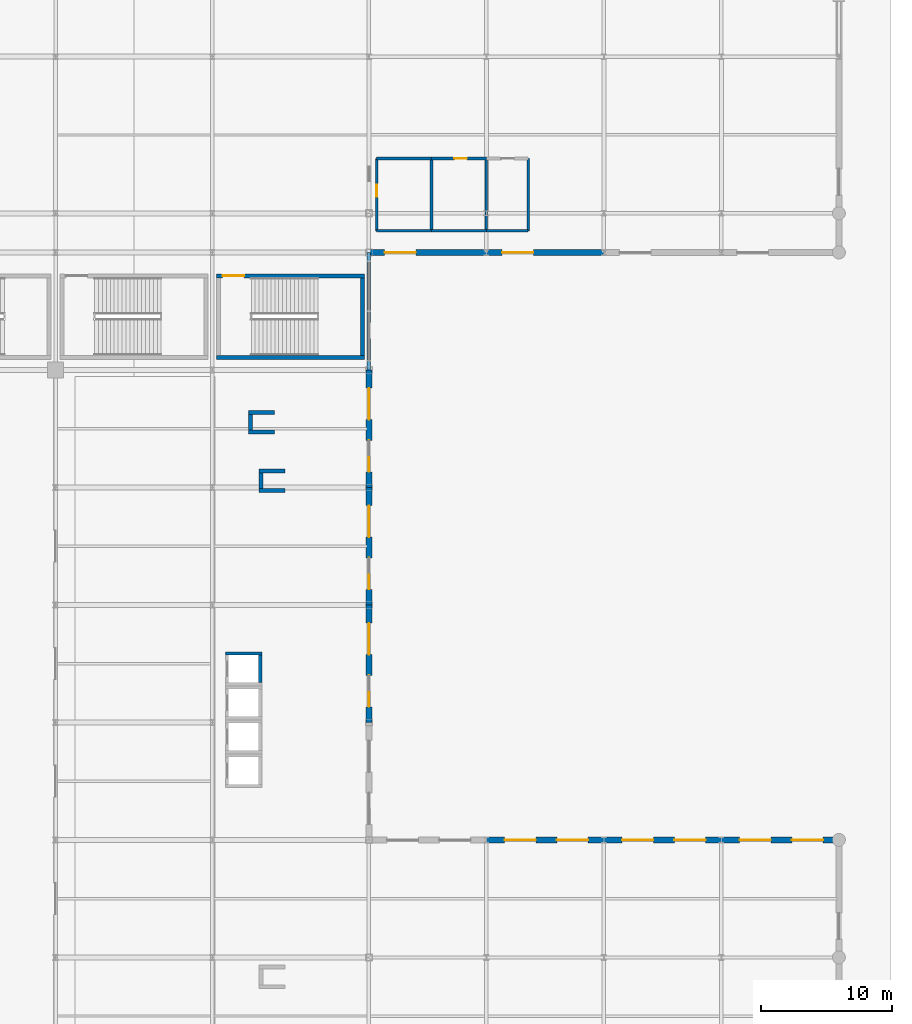
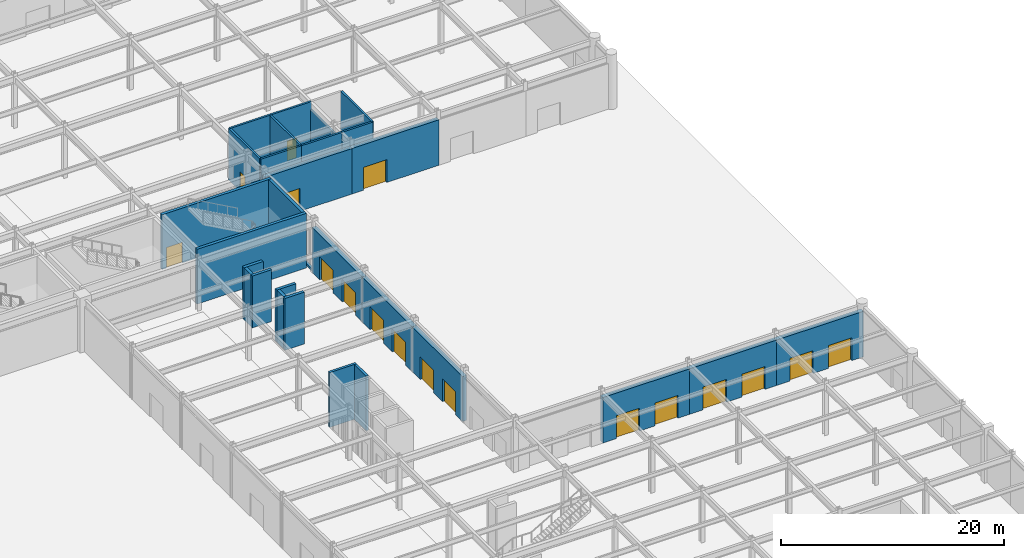
# One storey, part 29 of 44: 29 walls, 17 doors, 17 openings.
"""IFC4 building model written with IfcOpenShell, lengths in metres."""

import ifcopenshell
import ifcopenshell.guid

model = None  # the IFC model being written
_history = None  # IfcOwnerHistory: only IFC2X3 demands one
_inside = {}  # id of a spatial element -> (the spatial element, [elements in it])
_under = {}  # id of a project, library or spatial element -> (it, [spatial elements below it])
_declared = {}  # id of a project -> (the project, [libraries it declares])
_typed = {}  # id of a type object -> (the type object, [elements of that type])
_made_of = {}  # id of a material, layer set ... -> (it, [elements and type objects made of it])


def new_model(schema):
    """Start an empty IFC model of exactly this schema.

    Asked for "IFC4X3", IfcOpenShell would pick the latest addendum, in which some entities
    have other attributes; the version numbers below select the first issue.
    IFC2X3 requires an IfcOwnerHistory on every rooted entity: one is made here for all.
    """
    global model, _history
    if schema == "IFC4X3":
        model = ifcopenshell.file(schema_version=(4, 3, 0, 0))
    else:
        model = ifcopenshell.file(schema=schema)
    _inside.clear()
    _under.clear()
    _declared.clear()
    _typed.clear()
    _made_of.clear()
    _history = None
    if model.schema == "IFC2X3":
        org = make("IfcOrganization", Name="unknown")
        user = make(
            "IfcPersonAndOrganization",
            ThePerson=make("IfcPerson", FamilyName="unknown"),
            TheOrganization=org,
        )
        app = make(
            "IfcApplication",
            ApplicationDeveloper=org,
            Version="unknown",
            ApplicationFullName="unknown",
            ApplicationIdentifier="unknown",
        )
        _history = make(
            "IfcOwnerHistory",
            OwningUser=user,
            OwningApplication=app,
            ChangeAction="ADDED",
            CreationDate=0,
        )
    return model


def make(cls, **values):
    """One entity of the class cls with the attributes given. An attribute that is None is left unset."""
    return model.create_entity(
        cls, **{name: value for name, value in values.items() if value is not None}
    )


def rooted(cls, **values):
    """An entity with a GlobalId (a new one), such as an element, a storey or a relation."""
    return make(cls, GlobalId=ifcopenshell.guid.new(), OwnerHistory=_history, **values)


def si_unit(unit_type, name, prefix=None):
    """IfcSIUnit, for example si_unit("LENGTHUNIT", "METRE", prefix="MILLI")."""
    return make("IfcSIUnit", UnitType=unit_type, Prefix=prefix, Name=name)


def assignment(units):
    """IfcUnitAssignment: the units of a project."""
    return None if units is None else make("IfcUnitAssignment", Units=units)


def point(xyz):
    """IfcCartesianPoint."""
    return None if xyz is None else make("IfcCartesianPoint", Coordinates=xyz)


def direction(xyz):
    """IfcDirection."""
    return None if xyz is None else make("IfcDirection", DirectionRatios=xyz)


def frame(location, z_axis=None, x_axis=None):
    """IfcAxis2Placement3D, a coordinate frame: its origin and axes. An axis left out is left unset."""
    return make(
        "IfcAxis2Placement3D",
        Location=point(location),
        Axis=direction(z_axis),
        RefDirection=direction(x_axis),
    )


def frame_2d(location, x_axis=None):
    """IfcAxis2Placement2D, a coordinate frame in the plane: its origin and x axis."""
    return make(
        "IfcAxis2Placement2D", Location=point(location), RefDirection=direction(x_axis)
    )


def origin():
    """The frame at (0, 0, 0) with its axes left unset."""
    return frame((0.0, 0.0, 0.0))


def place(relative_to, where):
    """IfcLocalPlacement: puts the frame where relative to a parent placement (None: the world)."""
    return make(
        "IfcLocalPlacement", PlacementRelTo=relative_to, RelativePlacement=where
    )


def context(
    kind, dimensions, precision=None, world=None, true_north=None, identifier=None
):
    """IfcGeometricRepresentationContext, for example the 3D "Model" context."""
    return make(
        "IfcGeometricRepresentationContext",
        ContextIdentifier=identifier,
        ContextType=kind,
        CoordinateSpaceDimension=dimensions,
        Precision=precision,
        WorldCoordinateSystem=world,
        TrueNorth=true_north,
    )


def subcontext(parent, identifier, kind, view, scale=None):
    """IfcGeometricRepresentationSubContext, for example "Body" below "Model"."""
    return make(
        "IfcGeometricRepresentationSubContext",
        ContextIdentifier=identifier,
        ContextType=kind,
        ParentContext=parent,
        TargetScale=scale,
        TargetView=view,
    )


def project(units=None, contexts=None):
    """IfcProject with its units and contexts."""
    return rooted(
        "IfcProject",
        Name="project",
        RepresentationContexts=contexts,
        UnitsInContext=assignment(units),
    )


def spatial(cls, under=None, at=None, **own):
    """A site, building, storey or space (cls), placed at a placement, below another one or the project."""
    s = rooted(cls, ObjectPlacement=at, **own)
    if under is not None:
        _under.setdefault(under.id(), (under, []))[1].append(s)
    return s


def profile(cls, at=None, kind="AREA", **sizes):
    """A parametric profile (cls). Its sizes go by their IFC names, for example OverallWidth=200.0."""
    return make(cls, ProfileType=kind, Position=at, **sizes)


def rectangle(**sizes):
    """IfcRectangleProfileDef."""
    return profile("IfcRectangleProfileDef", **sizes)


def extrude(swept, where, along, depth):
    """IfcExtrudedAreaSolid: the profile swept, set in the frame where, extruded along a direction by depth."""
    return make(
        "IfcExtrudedAreaSolid",
        SweptArea=swept,
        Position=where,
        ExtrudedDirection=direction(along),
        Depth=depth,
    )


def shape(context_of_items, identifier, shape_type, items):
    """IfcShapeRepresentation: the items that make up one representation, for example the "Body"."""
    return make(
        "IfcShapeRepresentation",
        ContextOfItems=context_of_items,
        RepresentationIdentifier=identifier,
        RepresentationType=shape_type,
        Items=items,
    )


def material(Name=None, Category=None):
    """IfcMaterial."""
    return make("IfcMaterial", Name=Name, Category=Category)


def layer(
    of_material, thickness, ventilated=None, Name=None, Category=None, Priority=None
):
    """IfcMaterialLayer: one layer of a wall or slab, of a material (None: an air gap)."""
    return make(
        "IfcMaterialLayer",
        Material=of_material,
        LayerThickness=thickness,
        IsVentilated=ventilated,
        Name=Name,
        Category=Category,
        Priority=Priority,
    )


def layer_set(layers, Name=None):
    """IfcMaterialLayerSet."""
    return make("IfcMaterialLayerSet", MaterialLayers=layers, LayerSetName=Name)


def made_of(thing, what):
    """Note that an element or type object is made of a material, layer set ...; save() writes the relation."""
    if what is not None:
        _made_of.setdefault(what.id(), (what, []))[1].append(thing)
    return thing


def type_object(cls, material=None, **own):
    """A type object (cls), such as IfcWallType, which elements share."""
    return made_of(rooted(cls, **own), material)


def element(
    cls,
    number,
    at=None,
    inside=None,
    cuts=None,
    type_object=None,
    material=None,
    context=None,
    identifier="Body",
    shape_type=None,
    held_by="IfcProductDefinitionShape",
    body=None,
    shapes=None,
    **own,
):
    """One element of the class cls, such as IfcWall. Its Tag is "e" and its number.

    at: its placement. inside: the storey or other place that contains it. cuts: it is an
    opening in that element (IfcRelVoidsElement). A single representation is given by context,
    identifier, shape_type and body (its items); several are given by shapes. held_by: the class
    of the entity that holds the representations. save() writes the other relations.
    """
    e = rooted(cls, Tag="e%d" % number, ObjectPlacement=at, **own)
    if body is not None:
        shapes = [shape(context, identifier, shape_type, body)]
    if shapes is not None:
        e.Representation = make(held_by, Representations=shapes)
    if inside is not None:
        _inside.setdefault(inside.id(), (inside, []))[1].append(e)
    if cuts is not None:
        rooted(
            "IfcRelVoidsElement", RelatingBuildingElement=cuts, RelatedOpeningElement=e
        )
    if type_object is not None:
        _typed.setdefault(type_object.id(), (type_object, []))[1].append(e)
    return made_of(e, material)


def fill(opening, filler):
    """IfcRelFillsElement: the door or window that sits in an opening."""
    return rooted(
        "IfcRelFillsElement",
        RelatingOpeningElement=opening,
        RelatedBuildingElement=filler,
    )


def aggregate(whole, parts):
    """IfcRelAggregates: a whole, such as a stair, and the parts it consists of."""
    return rooted("IfcRelAggregates", RelatingObject=whole, RelatedObjects=parts)


def save(model, path):
    """Write the relations noted so far, then the file.

    IfcRelAggregates (storeys below a building ...), IfcRelContainedInSpatialStructure (elements
    in a storey), IfcRelDefinesByType, IfcRelAssociatesMaterial and IfcRelDeclares: one each for
    every whole, place, type object, material and project.
    """
    for whole, parts in _under.values():
        aggregate(whole, parts)
    for where, things in _inside.values():
        rooted(
            "IfcRelContainedInSpatialStructure",
            RelatedElements=things,
            RelatingStructure=where,
        )
    for kind, things in _typed.values():
        rooted("IfcRelDefinesByType", RelatedObjects=things, RelatingType=kind)
    for what, things in _made_of.values():
        rooted("IfcRelAssociatesMaterial", RelatedObjects=things, RelatingMaterial=what)
    for by, libraries in _declared.values():
        rooted("IfcRelDeclares", RelatingContext=by, RelatedDefinitions=libraries)
    model.write(path)


model = new_model("IFC4")

# Units and contexts
model_context = context("Model", 3, precision=1e-05, world=origin(), true_north=direction((0.0, 1.0)))
body_context = subcontext(model_context, "Body", "Model", "MODEL_VIEW")
ifc_project = project(units=[si_unit("LENGTHUNIT", "METRE"), si_unit("AREAUNIT", "SQUARE_METRE"), si_unit("VOLUMEUNIT", "CUBIC_METRE"), si_unit("PLANEANGLEUNIT", "RADIAN"), si_unit("MASSUNIT", "GRAM", prefix="KILO")], contexts=[model_context])

# Site, building, storey
site_placement = place(None, origin())
site = spatial("IfcSite", under=ifc_project, at=site_placement, CompositionType="ELEMENT")
building_placement = place(site_placement, origin())
building = spatial("IfcBuilding", under=site, at=building_placement, Name="Kaldorvane Square Convention Centre", CompositionType="ELEMENT")
storey_placement = place(building_placement, origin())
storey = spatial("IfcBuildingStorey", under=building, at=storey_placement, Name="L00", CompositionType="ELEMENT", Elevation=0.0)

# Walls
ifc_material_1 = material(Name="Fire-Rated Gypsum Board on Acoustic Steel Studs", Category="steel")
ifc_layer_1 = layer(ifc_material_1, 0.1999969482421875)
ifc_layer_set_1 = layer_set([ifc_layer_1], Name="Fire-Rated Gypsum Board on Acoustic Steel Studs")
wall_type_1 = type_object("IfcWallType", Name="WL-CORR-200", PredefinedType="PARTITIONING", material=ifc_layer_set_1)
wall_1_placement = place(storey_placement, frame((138.60000610351562, 82.64999389648438, 0.0), z_axis=(0.0, 0.0, 1.0), x_axis=(1.0, 0.0, 0.0)))
element("IfcWall", 1, at=wall_1_placement, inside=storey, type_object=wall_type_1, Name="East Concourse Men's Restroom (L00) S Wall", PredefinedType="PARTITIONING", context=body_context, shape_type="SweptSolid", body=[
    extrude(rectangle(XDim=4.1999969482421875, YDim=0.1999969482421875, at=frame_2d((2.100006103515625, 0.0))), origin(), (0.0, 0.0, 1.0), 5.67999267578125),
])
wall_2_placement = place(storey_placement, frame((142.8000030517578, 82.64999389648438, 0.0), z_axis=(0.0, 0.0, 1.0), x_axis=(0.0, 1.0, 0.0)))
element("IfcWall", 2, at=wall_2_placement, inside=storey, type_object=wall_type_1, Name="East Concourse Men's Restroom (L00) E Wall", PredefinedType="PARTITIONING", context=body_context, shape_type="SweptSolid", body=[
    extrude(rectangle(XDim=5.5500030517578125, YDim=0.1999969482421875, at=frame_2d((2.774993896484375, 0.0))), origin(), (0.0, 0.0, 1.0), 5.67999267578125),
])
wall_3_placement = place(storey_placement, frame((142.8000030517578, 88.19999694824219, 0.0), z_axis=(0.0, 0.0, 1.0), x_axis=(-1.0, 0.0, 0.0)))
element("IfcWall", 3, at=wall_3_placement, inside=storey, type_object=wall_type_1, Name="East Concourse Men's Restroom (L00) N Wall", PredefinedType="PARTITIONING", context=body_context, shape_type="SweptSolid", body=[
    extrude(rectangle(XDim=4.1999969482421875, YDim=0.1999969482421875, at=frame_2d((2.100006103515625, 0.0))), origin(), (0.0, 0.0, 1.0), 5.67999267578125),
])

# Wall, opening, door
wall_4_placement = place(storey_placement, frame((138.60000610351562, 88.19999694824219, 0.0), z_axis=(0.0, 0.0, 1.0), x_axis=(0.0, -1.0, 0.0)))
wall_4 = element("IfcWall", 4, at=wall_4_placement, inside=storey, type_object=wall_type_1, Name="East Concourse Men's Restroom (L00) W Wall", PredefinedType="PARTITIONING", context=body_context, shape_type="SweptSolid", body=[
    extrude(rectangle(XDim=5.5500030517578125, YDim=0.1999969482421875, at=frame_2d((2.774993896484375, 0.0))), origin(), (0.0, 0.0, 1.0), 5.67999267578125),
])
opening_1_placement = place(wall_4_placement, frame((2.0, 0.0, 0.0)))
opening_1 = element("IfcOpeningElement", 5, at=opening_1_placement, cuts=wall_4, Name="Opening ID-13", PredefinedType="OPENING", context=body_context, shape_type="SweptSolid", body=[
    extrude(rectangle(XDim=0.9499969482421875, YDim=2.149993896484375, at=frame_2d((0.475006103515625, 1.0749969482421875))), frame((0.0, 0.114990234375, 0.0), z_axis=(0.0, -1.0, 0.0), x_axis=(1.0, 0.0, 0.0)), (0.0, 0.0, 1.0), 0.2299957275390625),
])
ifc_material_2 = material(Name="Architectural Solid-Core White Oak")
door_type_1 = type_object("IfcDoorType", Name="DR-WC-0950X2150", OperationType="SINGLE_SWING_LEFT", PredefinedType="DOOR", material=ifc_material_2)
door_1_placement = place(opening_1_placement, origin())
door_1 = element("IfcDoor", 6, at=door_1_placement, inside=storey, type_object=door_type_1, Name="East Concourse Men's Restroom (L00) Door 1", OperationType="SINGLE_SWING_LEFT", OverallHeight=2.149993896484375, OverallWidth=0.9499969482421875, PredefinedType="DOOR", context=body_context, shape_type="SweptSolid", body=[
    extrude(rectangle(XDim=0.9499969482421875, YDim=2.149993896484375, at=frame_2d((0.475006103515625, 1.0749969482421875))), frame((0.0, 0.024993896484375, 0.0), z_axis=(0.0, -1.0, 0.0), x_axis=(1.0, 0.0, 0.0)), (0.0, 0.0, 1.0), 0.0500030517578125),
])
fill(opening_1, door_1)

# Walls
wall_5_placement = place(storey_placement, frame((142.8000030517578, 82.64999389648438, 0.0), z_axis=(0.0, 0.0, 1.0), x_axis=(1.0, 0.0, 0.0)))
element("IfcWall", 7, at=wall_5_placement, inside=storey, type_object=wall_type_1, Name="East Concourse Women's Restroom (L00) S Wall", PredefinedType="PARTITIONING", context=body_context, shape_type="SweptSolid", body=[
    extrude(rectangle(XDim=4.1999969482421875, YDim=0.1999969482421875, at=frame_2d((2.100006103515625, 0.0))), origin(), (0.0, 0.0, 1.0), 5.67999267578125),
])
wall_6_placement = place(storey_placement, frame((147.0, 82.64999389648438, 0.0), z_axis=(0.0, 0.0, 1.0), x_axis=(0.0, 1.0, 0.0)))
element("IfcWall", 8, at=wall_6_placement, inside=storey, type_object=wall_type_1, Name="East Concourse Women's Restroom (L00) E Wall", PredefinedType="PARTITIONING", context=body_context, shape_type="SweptSolid", body=[
    extrude(rectangle(XDim=5.5500030517578125, YDim=0.1999969482421875, at=frame_2d((2.774993896484375, 0.0))), origin(), (0.0, 0.0, 1.0), 4.8300018310546875),
])

# Wall, opening, door
wall_7_placement = place(storey_placement, frame((147.0, 88.19999694824219, 0.0), z_axis=(0.0, 0.0, 1.0), x_axis=(-1.0, 0.0, 0.0)))
wall_7 = element("IfcWall", 9, at=wall_7_placement, inside=storey, type_object=wall_type_1, Name="East Concourse Women's Restroom (L00) N Wall", PredefinedType="PARTITIONING", context=body_context, shape_type="SweptSolid", body=[
    extrude(rectangle(XDim=4.1999969482421875, YDim=0.1999969482421875, at=frame_2d((2.100006103515625, 0.0))), origin(), (0.0, 0.0, 1.0), 5.67999267578125),
])
opening_2_placement = place(wall_7_placement, frame((1.5, 0.0, 0.0)))
opening_2 = element("IfcOpeningElement", 10, at=opening_2_placement, cuts=wall_7, Name="Opening ID-13", PredefinedType="OPENING", context=body_context, shape_type="SweptSolid", body=[
    extrude(rectangle(XDim=0.9499969482421875, YDim=2.149993896484375, at=frame_2d((0.475006103515625, 1.0749969482421875))), frame((0.0, 0.114990234375, 0.0), z_axis=(0.0, -1.0, 0.0), x_axis=(1.0, 0.0, 0.0)), (0.0, 0.0, 1.0), 0.2299957275390625),
])
door_2_placement = place(opening_2_placement, origin())
door_2 = element("IfcDoor", 11, at=door_2_placement, inside=storey, type_object=door_type_1, Name="East Concourse Women's Restroom (L00) Door 1", OperationType="SINGLE_SWING_LEFT", OverallHeight=2.149993896484375, OverallWidth=0.9499969482421875, PredefinedType="DOOR", context=body_context, shape_type="SweptSolid", body=[
    extrude(rectangle(XDim=0.9499969482421875, YDim=2.149993896484375, at=frame_2d((0.475006103515625, 1.0749969482421875))), frame((0.0, 0.024993896484375, 0.0), z_axis=(0.0, -1.0, 0.0), x_axis=(1.0, 0.0, 0.0)), (0.0, 0.0, 1.0), 0.0500030517578125),
])
fill(opening_2, door_2)

# Walls
wall_8_placement = place(storey_placement, frame((147.0, 82.64999389648438, 0.0), z_axis=(0.0, 0.0, 1.0), x_axis=(1.0, 0.0, 0.0)))
element("IfcWall", 12, at=wall_8_placement, inside=storey, type_object=wall_type_1, Name="East Concourse Accessible Restroom (L00) S Wall", PredefinedType="PARTITIONING", context=body_context, shape_type="SweptSolid", body=[
    extrude(rectangle(XDim=3.1999969482421875, YDim=0.1999969482421875, at=frame_2d((1.600006103515625, 0.0))), origin(), (0.0, 0.0, 1.0), 5.67999267578125),
])
wall_9_placement = place(storey_placement, frame((150.1999969482422, 82.64999389648438, 0.0), z_axis=(0.0, 0.0, 1.0), x_axis=(0.0, 1.0, 0.0)))
element("IfcWall", 13, at=wall_9_placement, inside=storey, type_object=wall_type_1, Name="East Concourse Accessible Restroom (L00) E Wall", PredefinedType="PARTITIONING", context=body_context, shape_type="SweptSolid", body=[
    extrude(rectangle(XDim=5.5500030517578125, YDim=0.1999969482421875, at=frame_2d((2.774993896484375, 0.0))), origin(), (0.0, 0.0, 1.0), 5.67999267578125),
])

# Wall, openings, doors
ifc_material_3 = material(Name="Concrete f'c = 42 MPa (Normalweight)", Category="concrete")
ifc_layer_2 = layer(ifc_material_3, 0.4499969482421875)
ifc_layer_set_2 = layer_set([ifc_layer_2], Name="Concrete f'c = 42 MPa (Normalweight)")
wall_type_2 = type_object("IfcWallType", Name="WL-EXT-450", PredefinedType="STANDARD", material=ifc_layer_set_2)
wall_10_placement = place(storey_placement, frame((156.0, 36.0, 0.0), z_axis=(0.0, 0.0, 1.0), x_axis=(-1.0, 0.0, 0.0)))
wall_10 = element("IfcWall", 14, at=wall_10_placement, inside=storey, type_object=wall_type_2, Name="Civic Forecourt Entrance Portal FCS-2", PredefinedType="STANDARD", context=body_context, shape_type="SweptSolid", body=[
    extrude(rectangle(XDim=9.0, YDim=0.4499969482421875, at=frame_2d((4.5, 0.0))), origin(), (0.0, 0.0, 1.0), 4.98699951171875),
])
opening_3_placement = place(wall_10_placement, frame((1.1999969482421875, 0.0, 0.0)))
opening_3 = element("IfcOpeningElement", 15, at=opening_3_placement, cuts=wall_10, Name="Opening ED-02", PredefinedType="OPENING", context=body_context, shape_type="SweptSolid", body=[
    extrude(rectangle(XDim=2.399993896484375, YDim=2.5, at=frame_2d((1.1999969482421875, 1.25))), frame((0.0, 0.239990234375, 0.0), z_axis=(0.0, -1.0, 0.0), x_axis=(1.0, 0.0, 0.0)), (0.0, 0.0, 1.0), 0.4799957275390625),
])
opening_4_placement = place(wall_10_placement, frame((5.1999969482421875, 0.0, 0.0)))
opening_4 = element("IfcOpeningElement", 16, at=opening_4_placement, cuts=wall_10, Name="Opening ED-02", PredefinedType="OPENING", context=body_context, shape_type="SweptSolid", body=[
    extrude(rectangle(XDim=2.399993896484375, YDim=2.5, at=frame_2d((1.1999969482421875, 1.25))), frame((0.0, 0.239990234375, 0.0), z_axis=(0.0, -1.0, 0.0), x_axis=(1.0, 0.0, 0.0)), (0.0, 0.0, 1.0), 0.4799957275390625),
])
ifc_material_4 = material(Name="Thermally Broken Aluminum and Tempered Glass", Category="aluminium")
door_type_2 = type_object("IfcDoorType", Name="DR-EXT-2400X2500", OperationType="DOUBLE_DOOR_SINGLE_SWING", PredefinedType="DOOR", material=ifc_material_4)
door_3_placement = place(opening_3_placement, origin())
door_3 = element("IfcDoor", 17, at=door_3_placement, inside=storey, type_object=door_type_2, Name="Civic Forecourt Main Entrance Door 29", OperationType="DOUBLE_DOOR_SINGLE_SWING", OverallHeight=2.5, OverallWidth=2.399993896484375, PredefinedType="DOOR", context=body_context, shape_type="SweptSolid", body=[
    extrude(rectangle(XDim=2.399993896484375, YDim=2.5, at=frame_2d((1.1999969482421875, 1.25))), frame((0.0, 0.024993896484375, 0.0), z_axis=(0.0, -1.0, 0.0), x_axis=(1.0, 0.0, 0.0)), (0.0, 0.0, 1.0), 0.0500030517578125),
])
fill(opening_3, door_3)
door_4_placement = place(opening_4_placement, origin())
door_4 = element("IfcDoor", 18, at=door_4_placement, inside=storey, type_object=door_type_2, Name="Civic Forecourt Main Entrance Door 30", OperationType="DOUBLE_DOOR_SINGLE_SWING", OverallHeight=2.5, OverallWidth=2.399993896484375, PredefinedType="DOOR", context=body_context, shape_type="SweptSolid", body=[
    extrude(rectangle(XDim=2.399993896484375, YDim=2.5, at=frame_2d((1.1999969482421875, 1.25))), frame((0.0, 0.024993896484375, 0.0), z_axis=(0.0, -1.0, 0.0), x_axis=(1.0, 0.0, 0.0)), (0.0, 0.0, 1.0), 0.0500030517578125),
])
fill(opening_4, door_4)

wall_11_placement = place(storey_placement, frame((165.0, 36.0, 0.0), z_axis=(0.0, 0.0, 1.0), x_axis=(-1.0, 0.0, 0.0)))
wall_11 = element("IfcWall", 19, at=wall_11_placement, inside=storey, type_object=wall_type_2, Name="Civic Forecourt Entrance Portal FCS-3", PredefinedType="STANDARD", context=body_context, shape_type="SweptSolid", body=[
    extrude(rectangle(XDim=9.0, YDim=0.4499969482421875, at=frame_2d((4.5, 0.0))), origin(), (0.0, 0.0, 1.0), 4.98699951171875),
])
opening_5_placement = place(wall_11_placement, frame((1.1999969482421875, 0.0, 0.0)))
opening_5 = element("IfcOpeningElement", 20, at=opening_5_placement, cuts=wall_11, Name="Opening ED-02", PredefinedType="OPENING", context=body_context, shape_type="SweptSolid", body=[
    extrude(rectangle(XDim=2.399993896484375, YDim=2.5, at=frame_2d((1.1999969482421875, 1.25))), frame((0.0, 0.239990234375, 0.0), z_axis=(0.0, -1.0, 0.0), x_axis=(1.0, 0.0, 0.0)), (0.0, 0.0, 1.0), 0.4799957275390625),
])
opening_6_placement = place(wall_11_placement, frame((5.1999969482421875, 0.0, 0.0)))
opening_6 = element("IfcOpeningElement", 21, at=opening_6_placement, cuts=wall_11, Name="Opening ED-02", PredefinedType="OPENING", context=body_context, shape_type="SweptSolid", body=[
    extrude(rectangle(XDim=2.399993896484375, YDim=2.5, at=frame_2d((1.1999969482421875, 1.25))), frame((0.0, 0.239990234375, 0.0), z_axis=(0.0, -1.0, 0.0), x_axis=(1.0, 0.0, 0.0)), (0.0, 0.0, 1.0), 0.4799957275390625),
])
door_5_placement = place(opening_5_placement, origin())
door_5 = element("IfcDoor", 22, at=door_5_placement, inside=storey, type_object=door_type_2, Name="Civic Forecourt Main Entrance Door 31", OperationType="DOUBLE_DOOR_SINGLE_SWING", OverallHeight=2.5, OverallWidth=2.399993896484375, PredefinedType="DOOR", context=body_context, shape_type="SweptSolid", body=[
    extrude(rectangle(XDim=2.399993896484375, YDim=2.5, at=frame_2d((1.1999969482421875, 1.25))), frame((0.0, 0.024993896484375, 0.0), z_axis=(0.0, -1.0, 0.0), x_axis=(1.0, 0.0, 0.0)), (0.0, 0.0, 1.0), 0.0500030517578125),
])
fill(opening_5, door_5)
door_6_placement = place(opening_6_placement, origin())
door_6 = element("IfcDoor", 23, at=door_6_placement, inside=storey, type_object=door_type_2, Name="Civic Forecourt Main Entrance Door 32", OperationType="DOUBLE_DOOR_SINGLE_SWING", OverallHeight=2.5, OverallWidth=2.399993896484375, PredefinedType="DOOR", context=body_context, shape_type="SweptSolid", body=[
    extrude(rectangle(XDim=2.399993896484375, YDim=2.5, at=frame_2d((1.1999969482421875, 1.25))), frame((0.0, 0.024993896484375, 0.0), z_axis=(0.0, -1.0, 0.0), x_axis=(1.0, 0.0, 0.0)), (0.0, 0.0, 1.0), 0.0500030517578125),
])
fill(opening_6, door_6)

wall_12_placement = place(storey_placement, frame((174.0, 36.0, 0.0), z_axis=(0.0, 0.0, 1.0), x_axis=(-1.0, 0.0, 0.0)))
wall_12 = element("IfcWall", 24, at=wall_12_placement, inside=storey, type_object=wall_type_2, Name="Civic Forecourt Entrance Portal FCS-4", PredefinedType="STANDARD", context=body_context, shape_type="SweptSolid", body=[
    extrude(rectangle(XDim=9.0, YDim=0.4499969482421875, at=frame_2d((4.5, 0.0))), origin(), (0.0, 0.0, 1.0), 4.98699951171875),
])
opening_7_placement = place(wall_12_placement, frame((1.1999969482421875, 0.0, 0.0)))
opening_7 = element("IfcOpeningElement", 25, at=opening_7_placement, cuts=wall_12, Name="Opening ED-02", PredefinedType="OPENING", context=body_context, shape_type="SweptSolid", body=[
    extrude(rectangle(XDim=2.399993896484375, YDim=2.5, at=frame_2d((1.1999969482421875, 1.25))), frame((0.0, 0.239990234375, 0.0), z_axis=(0.0, -1.0, 0.0), x_axis=(1.0, 0.0, 0.0)), (0.0, 0.0, 1.0), 0.4799957275390625),
])
opening_8_placement = place(wall_12_placement, frame((5.1999969482421875, 0.0, 0.0)))
opening_8 = element("IfcOpeningElement", 26, at=opening_8_placement, cuts=wall_12, Name="Opening ED-02", PredefinedType="OPENING", context=body_context, shape_type="SweptSolid", body=[
    extrude(rectangle(XDim=2.399993896484375, YDim=2.5, at=frame_2d((1.1999969482421875, 1.25))), frame((0.0, 0.239990234375, 0.0), z_axis=(0.0, -1.0, 0.0), x_axis=(1.0, 0.0, 0.0)), (0.0, 0.0, 1.0), 0.4799957275390625),
])
door_7_placement = place(opening_7_placement, origin())
door_7 = element("IfcDoor", 27, at=door_7_placement, inside=storey, type_object=door_type_2, Name="Civic Forecourt Main Entrance Door 33", OperationType="DOUBLE_DOOR_SINGLE_SWING", OverallHeight=2.5, OverallWidth=2.399993896484375, PredefinedType="DOOR", context=body_context, shape_type="SweptSolid", body=[
    extrude(rectangle(XDim=2.399993896484375, YDim=2.5, at=frame_2d((1.1999969482421875, 1.25))), frame((0.0, 0.024993896484375, 0.0), z_axis=(0.0, -1.0, 0.0), x_axis=(1.0, 0.0, 0.0)), (0.0, 0.0, 1.0), 0.0500030517578125),
])
fill(opening_7, door_7)
door_8_placement = place(opening_8_placement, origin())
door_8 = element("IfcDoor", 28, at=door_8_placement, inside=storey, type_object=door_type_2, Name="Civic Forecourt Main Entrance Door 34", OperationType="DOUBLE_DOOR_SINGLE_SWING", OverallHeight=2.5, OverallWidth=2.399993896484375, PredefinedType="DOOR", context=body_context, shape_type="SweptSolid", body=[
    extrude(rectangle(XDim=2.399993896484375, YDim=2.5, at=frame_2d((1.1999969482421875, 1.25))), frame((0.0, 0.024993896484375, 0.0), z_axis=(0.0, -1.0, 0.0), x_axis=(1.0, 0.0, 0.0)), (0.0, 0.0, 1.0), 0.0500030517578125),
])
fill(opening_8, door_8)

wall_13_placement = place(storey_placement, frame((138.0, 45.0, 0.0), z_axis=(0.0, 0.0, 1.0), x_axis=(0.0, 1.0, 0.0)))
wall_13 = element("IfcWall", 29, at=wall_13_placement, inside=storey, type_object=wall_type_2, Name="Civic Forecourt Entrance Portal FCW-2", PredefinedType="STANDARD", context=body_context, shape_type="SweptSolid", body=[
    extrude(rectangle(XDim=9.0, YDim=0.4499969482421875, at=frame_2d((4.5, 0.0))), origin(), (0.0, 0.0, 1.0), 4.912994384765625),
])
opening_9_placement = place(wall_13_placement, frame((1.1999969482421875, 0.0, 0.0)))
opening_9 = element("IfcOpeningElement", 30, at=opening_9_placement, cuts=wall_13, Name="Opening ED-02", PredefinedType="OPENING", context=body_context, shape_type="SweptSolid", body=[
    extrude(rectangle(XDim=2.399993896484375, YDim=2.5, at=frame_2d((1.1999969482421875, 1.25))), frame((0.0, 0.239990234375, 0.0), z_axis=(0.0, -1.0, 0.0), x_axis=(1.0, 0.0, 0.0)), (0.0, 0.0, 1.0), 0.4799957275390625),
])
opening_10_placement = place(wall_13_placement, frame((5.1999969482421875, 0.0, 0.0)))
opening_10 = element("IfcOpeningElement", 31, at=opening_10_placement, cuts=wall_13, Name="Opening ED-02", PredefinedType="OPENING", context=body_context, shape_type="SweptSolid", body=[
    extrude(rectangle(XDim=2.399993896484375, YDim=2.5, at=frame_2d((1.1999969482421875, 1.25))), frame((0.0, 0.239990234375, 0.0), z_axis=(0.0, -1.0, 0.0), x_axis=(1.0, 0.0, 0.0)), (0.0, 0.0, 1.0), 0.4799957275390625),
])
door_9_placement = place(opening_9_placement, origin())
door_9 = element("IfcDoor", 32, at=door_9_placement, inside=storey, type_object=door_type_2, Name="Civic Forecourt Main Entrance Door 37", OperationType="DOUBLE_DOOR_SINGLE_SWING", OverallHeight=2.5, OverallWidth=2.399993896484375, PredefinedType="DOOR", context=body_context, shape_type="SweptSolid", body=[
    extrude(rectangle(XDim=2.399993896484375, YDim=2.5, at=frame_2d((1.1999969482421875, 1.25))), frame((0.0, 0.024993896484375, 0.0), z_axis=(0.0, -1.0, 0.0), x_axis=(1.0, 0.0, 0.0)), (0.0, 0.0, 1.0), 0.0500030517578125),
])
fill(opening_9, door_9)
door_10_placement = place(opening_10_placement, origin())
door_10 = element("IfcDoor", 33, at=door_10_placement, inside=storey, type_object=door_type_2, Name="Civic Forecourt Main Entrance Door 38", OperationType="DOUBLE_DOOR_SINGLE_SWING", OverallHeight=2.5, OverallWidth=2.399993896484375, PredefinedType="DOOR", context=body_context, shape_type="SweptSolid", body=[
    extrude(rectangle(XDim=2.399993896484375, YDim=2.5, at=frame_2d((1.1999969482421875, 1.25))), frame((0.0, 0.024993896484375, 0.0), z_axis=(0.0, -1.0, 0.0), x_axis=(1.0, 0.0, 0.0)), (0.0, 0.0, 1.0), 0.0500030517578125),
])
fill(opening_10, door_10)

wall_14_placement = place(storey_placement, frame((138.0, 54.0, 0.0), z_axis=(0.0, 0.0, 1.0), x_axis=(0.0, 1.0, 0.0)))
wall_14 = element("IfcWall", 34, at=wall_14_placement, inside=storey, type_object=wall_type_2, Name="Civic Forecourt Entrance Portal FCW-3", PredefinedType="STANDARD", context=body_context, shape_type="SweptSolid", body=[
    extrude(rectangle(XDim=9.0, YDim=0.4499969482421875, at=frame_2d((4.5, 0.0))), origin(), (0.0, 0.0, 1.0), 4.912994384765625),
])
opening_11_placement = place(wall_14_placement, frame((1.1999969482421875, 0.0, 0.0)))
opening_11 = element("IfcOpeningElement", 35, at=opening_11_placement, cuts=wall_14, Name="Opening ED-02", PredefinedType="OPENING", context=body_context, shape_type="SweptSolid", body=[
    extrude(rectangle(XDim=2.399993896484375, YDim=2.5, at=frame_2d((1.1999969482421875, 1.25))), frame((0.0, 0.239990234375, 0.0), z_axis=(0.0, -1.0, 0.0), x_axis=(1.0, 0.0, 0.0)), (0.0, 0.0, 1.0), 0.4799957275390625),
])
opening_12_placement = place(wall_14_placement, frame((5.1999969482421875, 0.0, 0.0)))
opening_12 = element("IfcOpeningElement", 36, at=opening_12_placement, cuts=wall_14, Name="Opening ED-02", PredefinedType="OPENING", context=body_context, shape_type="SweptSolid", body=[
    extrude(rectangle(XDim=2.399993896484375, YDim=2.5, at=frame_2d((1.1999969482421875, 1.25))), frame((0.0, 0.239990234375, 0.0), z_axis=(0.0, -1.0, 0.0), x_axis=(1.0, 0.0, 0.0)), (0.0, 0.0, 1.0), 0.4799957275390625),
])
door_11_placement = place(opening_11_placement, origin())
door_11 = element("IfcDoor", 37, at=door_11_placement, inside=storey, type_object=door_type_2, Name="Civic Forecourt Main Entrance Door 39", OperationType="DOUBLE_DOOR_SINGLE_SWING", OverallHeight=2.5, OverallWidth=2.399993896484375, PredefinedType="DOOR", context=body_context, shape_type="SweptSolid", body=[
    extrude(rectangle(XDim=2.399993896484375, YDim=2.5, at=frame_2d((1.1999969482421875, 1.25))), frame((0.0, 0.024993896484375, 0.0), z_axis=(0.0, -1.0, 0.0), x_axis=(1.0, 0.0, 0.0)), (0.0, 0.0, 1.0), 0.0500030517578125),
])
fill(opening_11, door_11)
door_12_placement = place(opening_12_placement, origin())
door_12 = element("IfcDoor", 38, at=door_12_placement, inside=storey, type_object=door_type_2, Name="Civic Forecourt Main Entrance Door 40", OperationType="DOUBLE_DOOR_SINGLE_SWING", OverallHeight=2.5, OverallWidth=2.399993896484375, PredefinedType="DOOR", context=body_context, shape_type="SweptSolid", body=[
    extrude(rectangle(XDim=2.399993896484375, YDim=2.5, at=frame_2d((1.1999969482421875, 1.25))), frame((0.0, 0.024993896484375, 0.0), z_axis=(0.0, -1.0, 0.0), x_axis=(1.0, 0.0, 0.0)), (0.0, 0.0, 1.0), 0.0500030517578125),
])
fill(opening_12, door_12)

wall_15_placement = place(storey_placement, frame((138.0, 63.0, 0.0), z_axis=(0.0, 0.0, 1.0), x_axis=(0.0, 1.0, 0.0)))
wall_15 = element("IfcWall", 39, at=wall_15_placement, inside=storey, type_object=wall_type_2, Name="Civic Forecourt Entrance Portal FCW-4", PredefinedType="STANDARD", context=body_context, shape_type="SweptSolid", body=[
    extrude(rectangle(XDim=9.0, YDim=0.4499969482421875, at=frame_2d((4.5, 0.0))), origin(), (0.0, 0.0, 1.0), 4.912994384765625),
])
opening_13_placement = place(wall_15_placement, frame((1.1999969482421875, 0.0, 0.0)))
opening_13 = element("IfcOpeningElement", 40, at=opening_13_placement, cuts=wall_15, Name="Opening ED-02", PredefinedType="OPENING", context=body_context, shape_type="SweptSolid", body=[
    extrude(rectangle(XDim=2.399993896484375, YDim=2.5, at=frame_2d((1.1999969482421875, 1.25))), frame((0.0, 0.239990234375, 0.0), z_axis=(0.0, -1.0, 0.0), x_axis=(1.0, 0.0, 0.0)), (0.0, 0.0, 1.0), 0.4799957275390625),
])
opening_14_placement = place(wall_15_placement, frame((5.1999969482421875, 0.0, 0.0)))
opening_14 = element("IfcOpeningElement", 41, at=opening_14_placement, cuts=wall_15, Name="Opening ED-02", PredefinedType="OPENING", context=body_context, shape_type="SweptSolid", body=[
    extrude(rectangle(XDim=2.399993896484375, YDim=2.5, at=frame_2d((1.1999969482421875, 1.25))), frame((0.0, 0.239990234375, 0.0), z_axis=(0.0, -1.0, 0.0), x_axis=(1.0, 0.0, 0.0)), (0.0, 0.0, 1.0), 0.4799957275390625),
])
door_13_placement = place(opening_13_placement, origin())
door_13 = element("IfcDoor", 42, at=door_13_placement, inside=storey, type_object=door_type_2, Name="Civic Forecourt Main Entrance Door 41", OperationType="DOUBLE_DOOR_SINGLE_SWING", OverallHeight=2.5, OverallWidth=2.399993896484375, PredefinedType="DOOR", context=body_context, shape_type="SweptSolid", body=[
    extrude(rectangle(XDim=2.399993896484375, YDim=2.5, at=frame_2d((1.1999969482421875, 1.25))), frame((0.0, 0.024993896484375, 0.0), z_axis=(0.0, -1.0, 0.0), x_axis=(1.0, 0.0, 0.0)), (0.0, 0.0, 1.0), 0.0500030517578125),
])
fill(opening_13, door_13)
door_14_placement = place(opening_14_placement, origin())
door_14 = element("IfcDoor", 43, at=door_14_placement, inside=storey, type_object=door_type_2, Name="Civic Forecourt Main Entrance Door 42", OperationType="DOUBLE_DOOR_SINGLE_SWING", OverallHeight=2.5, OverallWidth=2.399993896484375, PredefinedType="DOOR", context=body_context, shape_type="SweptSolid", body=[
    extrude(rectangle(XDim=2.399993896484375, YDim=2.5, at=frame_2d((1.1999969482421875, 1.25))), frame((0.0, 0.024993896484375, 0.0), z_axis=(0.0, -1.0, 0.0), x_axis=(1.0, 0.0, 0.0)), (0.0, 0.0, 1.0), 0.0500030517578125),
])
fill(opening_14, door_14)

# Wall, opening, door
wall_16_placement = place(storey_placement, frame((138.0, 81.0, 0.0), z_axis=(0.0, 0.0, 1.0), x_axis=(1.0, 0.0, 0.0)))
wall_16 = element("IfcWall", 44, at=wall_16_placement, inside=storey, type_object=wall_type_2, Name="Civic Forecourt Entrance Portal FCN-1", PredefinedType="STANDARD", context=body_context, shape_type="SweptSolid", body=[
    extrude(rectangle(XDim=9.0, YDim=0.4499969482421875, at=frame_2d((4.5, 0.0))), origin(), (0.0, 0.0, 1.0), 4.98699951171875),
])
opening_15_placement = place(wall_16_placement, frame((1.1999969482421875, 0.0, 0.0)))
opening_15 = element("IfcOpeningElement", 45, at=opening_15_placement, cuts=wall_16, Name="Opening ED-02", PredefinedType="OPENING", context=body_context, shape_type="SweptSolid", body=[
    extrude(rectangle(XDim=2.399993896484375, YDim=2.5, at=frame_2d((1.1999969482421875, 1.25))), frame((0.0, 0.239990234375, 0.0), z_axis=(0.0, -1.0, 0.0), x_axis=(1.0, 0.0, 0.0)), (0.0, 0.0, 1.0), 0.4799957275390625),
])
door_15_placement = place(opening_15_placement, origin())
door_15 = element("IfcDoor", 46, at=door_15_placement, inside=storey, type_object=door_type_2, Name="Civic Forecourt Main Entrance Door 43", OperationType="DOUBLE_DOOR_SINGLE_SWING", OverallHeight=2.5, OverallWidth=2.399993896484375, PredefinedType="DOOR", context=body_context, shape_type="SweptSolid", body=[
    extrude(rectangle(XDim=2.399993896484375, YDim=2.5, at=frame_2d((1.1999969482421875, 1.25))), frame((0.0, 0.024993896484375, 0.0), z_axis=(0.0, -1.0, 0.0), x_axis=(1.0, 0.0, 0.0)), (0.0, 0.0, 1.0), 0.0500030517578125),
])
fill(opening_15, door_15)

wall_17_placement = place(storey_placement, frame((147.0, 81.0, 0.0), z_axis=(0.0, 0.0, 1.0), x_axis=(1.0, 0.0, 0.0)))
wall_17 = element("IfcWall", 47, at=wall_17_placement, inside=storey, type_object=wall_type_2, Name="Civic Forecourt Entrance Portal FCN-2", PredefinedType="STANDARD", context=body_context, shape_type="SweptSolid", body=[
    extrude(rectangle(XDim=9.0, YDim=0.4499969482421875, at=frame_2d((4.5, 0.0))), origin(), (0.0, 0.0, 1.0), 4.98699951171875),
])
opening_16_placement = place(wall_17_placement, frame((1.1999969482421875, 0.0, 0.0)))
opening_16 = element("IfcOpeningElement", 48, at=opening_16_placement, cuts=wall_17, Name="Opening ED-02", PredefinedType="OPENING", context=body_context, shape_type="SweptSolid", body=[
    extrude(rectangle(XDim=2.399993896484375, YDim=2.5, at=frame_2d((1.1999969482421875, 1.25))), frame((0.0, 0.239990234375, 0.0), z_axis=(0.0, -1.0, 0.0), x_axis=(1.0, 0.0, 0.0)), (0.0, 0.0, 1.0), 0.4799957275390625),
])
door_16_placement = place(opening_16_placement, origin())
door_16 = element("IfcDoor", 49, at=door_16_placement, inside=storey, type_object=door_type_2, Name="Civic Forecourt Main Entrance Door 44", OperationType="DOUBLE_DOOR_SINGLE_SWING", OverallHeight=2.5, OverallWidth=2.399993896484375, PredefinedType="DOOR", context=body_context, shape_type="SweptSolid", body=[
    extrude(rectangle(XDim=2.399993896484375, YDim=2.5, at=frame_2d((1.1999969482421875, 1.25))), frame((0.0, 0.024993896484375, 0.0), z_axis=(0.0, -1.0, 0.0), x_axis=(1.0, 0.0, 0.0)), (0.0, 0.0, 1.0), 0.0500030517578125),
])
fill(opening_16, door_16)

# Walls
ifc_material_5 = material(Name="Concrete f'c = 35 MPa (Normalweight)", Category="concrete")
ifc_layer_3 = layer(ifc_material_5, 0.279998779296875)
ifc_layer_set_3 = layer_set([ifc_layer_3], Name="Concrete f'c = 35 MPa (Normalweight)")
wall_type_3 = type_object("IfcWallType", Name="WL-PAR-280", PredefinedType="PARAPET", material=ifc_layer_set_3)
wall_18_placement = place(storey_placement, frame((138.0, 72.0, 0.0), z_axis=(0.0, 0.0, 1.0), x_axis=(0.0, 1.0, 0.0)))
element("IfcWall", 50, at=wall_18_placement, inside=storey, type_object=wall_type_3, Name="Forecourt Glazing Sill (L00)", PredefinedType="PARAPET", context=body_context, shape_type="SweptSolid", body=[
    extrude(rectangle(XDim=9.0, YDim=0.279998779296875, at=frame_2d((4.5, 0.0))), origin(), (0.0, 0.0, 1.0), 0.1999969482421875),
])
ifc_material_6 = material(Name="Concrete f'c = 55 MPa (Normalweight)", Category="concrete")
ifc_layer_4 = layer(ifc_material_6, 0.3000030517578125)
ifc_layer_set_4 = layer_set([ifc_layer_4], Name="Concrete f'c = 55 MPa (Normalweight)")
wall_type_4 = type_object("IfcWallType", Name="WL-SHAFT-300", PredefinedType="SHEAR", material=ifc_layer_set_4)
wall_19_placement = place(storey_placement, frame((126.33999633789062, 72.94999694824219, 0.0), z_axis=(0.0, 0.0, 1.0), x_axis=(1.0, 0.0, 0.0)))
element("IfcWall", 51, at=wall_19_placement, inside=storey, type_object=wall_type_4, Name="Core Enclosure Wall stair:ST-C18-S (L00)", PredefinedType="SHEAR", context=body_context, shape_type="SweptSolid", body=[
    extrude(rectangle(XDim=11.32000732421875, YDim=0.3000030517578125, at=frame_2d((5.660003662109375, 0.0))), origin(), (0.0, 0.0, 1.0), 6.0),
])

# Wall, opening, door
wall_20_placement = place(storey_placement, frame((137.66000366210938, 79.21000671386719, 0.0), z_axis=(0.0, 0.0, 1.0), x_axis=(-1.0, 0.0, 0.0)))
wall_20 = element("IfcWall", 52, at=wall_20_placement, inside=storey, type_object=wall_type_4, Name="Core Enclosure Wall stair:ST-C18-N (L00)", PredefinedType="SHEAR", context=body_context, shape_type="SweptSolid", body=[
    extrude(rectangle(XDim=11.32000732421875, YDim=0.3000030517578125, at=frame_2d((5.660003662109375, 0.0))), origin(), (0.0, 0.0, 1.0), 6.0),
])
opening_17_placement = place(wall_20_placement, frame((9.220001220703125, 0.0, 0.0)))
opening_17 = element("IfcOpeningElement", 53, at=opening_17_placement, cuts=wall_20, Name="Opening FD90-S2", PredefinedType="OPENING", context=body_context, shape_type="SweptSolid", body=[
    extrude(rectangle(XDim=1.649993896484375, YDim=2.25, at=frame_2d((0.8249969482421875, 1.125))), frame((0.0, 0.165008544921875, 0.0), z_axis=(0.0, -1.0, 0.0), x_axis=(1.0, 0.0, 0.0)), (0.0, 0.0, 1.0), 0.3300018310546875),
])
ifc_material_7 = material(Name="Fire-Rated Hollow Metal Steel", Category="steel")
door_type_3 = type_object("IfcDoorType", Name="DR-STAIR-1650", OperationType="DOUBLE_DOOR_SINGLE_SWING", PredefinedType="DOOR", material=ifc_material_7)
door_17_placement = place(opening_17_placement, origin())
door_17 = element("IfcDoor", 54, at=door_17_placement, inside=storey, type_object=door_type_3, Name="Convention Exit Stair C18 Fire Door (L00)", OperationType="DOUBLE_DOOR_SINGLE_SWING", OverallHeight=2.25, OverallWidth=1.649993896484375, PredefinedType="DOOR", context=body_context, shape_type="SweptSolid", body=[
    extrude(rectangle(XDim=1.649993896484375, YDim=2.25, at=frame_2d((0.8249969482421875, 1.125))), frame((0.0, 0.024993896484375, 0.0), z_axis=(0.0, -1.0, 0.0), x_axis=(1.0, 0.0, 0.0)), (0.0, 0.0, 1.0), 0.0500030517578125),
])
fill(opening_17, door_17)

# Walls
wall_21_placement = place(storey_placement, frame((137.50999450683594, 73.10000610351562, 0.0), z_axis=(0.0, 0.0, 1.0), x_axis=(0.0, 1.0, 0.0)))
element("IfcWall", 55, at=wall_21_placement, inside=storey, type_object=wall_type_4, Name="Core Enclosure Wall stair:ST-C18-E (L00)", PredefinedType="SHEAR", context=body_context, shape_type="SweptSolid", body=[
    extrude(rectangle(XDim=5.959991455078125, YDim=0.3000030517578125, at=frame_2d((2.9799957275390625, 0.0))), origin(), (0.0, 0.0, 1.0), 6.0),
])
for number, where, z_axis, x_axis, name in (
    (56, (129.5800018310547, 62.75, 0.0), (0.0, 0.0, 1.0), (1.0, 0.0, 0.0), "East Foyer Grand Stair F3 Support Pier S (L00)"),
    (57, (129.5800018310547, 64.25, 0.0), (0.0, 0.0, 1.0), (1.0, 0.0, 0.0), "East Foyer Grand Stair F3 Support Pier N (L00)"),
):
    element("IfcWall", number, at=place(storey_placement, frame(where, z_axis=z_axis, x_axis=x_axis)), inside=storey, type_object=wall_type_4, Name=name, PredefinedType="SHEAR", context=body_context, shape_type="SweptSolid", body=[
        extrude(rectangle(XDim=2.0, YDim=0.3000030517578125, at=frame_2d((1.0, 0.0))), origin(), (0.0, 0.0, 1.0), 5.67999267578125),
    ])
wall_22_placement = place(storey_placement, frame((129.72999572753906, 62.899993896484375, 0.0), z_axis=(0.0, 0.0, 1.0), x_axis=(0.0, 1.0, 0.0)))
element("IfcWall", 58, at=wall_22_placement, inside=storey, type_object=wall_type_4, Name="East Foyer Grand Stair F3 Support Pier W (L00)", PredefinedType="SHEAR", context=body_context, shape_type="SweptSolid", body=[
    extrude(rectangle(XDim=1.20001220703125, YDim=0.3000030517578125, at=frame_2d((0.600006103515625, 0.0))), origin(), (0.0, 0.0, 1.0), 5.67999267578125),
])
for number, where, z_axis, x_axis, name in (
    (59, (128.77999877929688, 67.25, 0.0), (0.0, 0.0, 1.0), (1.0, 0.0, 0.0), "East Foyer Grand Stair F4 Support Pier S (L00)"),
    (60, (128.77999877929688, 68.75, 0.0), (0.0, 0.0, 1.0), (1.0, 0.0, 0.0), "East Foyer Grand Stair F4 Support Pier N (L00)"),
):
    element("IfcWall", number, at=place(storey_placement, frame(where, z_axis=z_axis, x_axis=x_axis)), inside=storey, type_object=wall_type_4, Name=name, PredefinedType="SHEAR", context=body_context, shape_type="SweptSolid", body=[
        extrude(rectangle(XDim=2.0, YDim=0.3000030517578125, at=frame_2d((1.0, 0.0))), origin(), (0.0, 0.0, 1.0), 5.67999267578125),
    ])
wall_23_placement = place(storey_placement, frame((128.92999267578125, 67.39999389648438, 0.0), z_axis=(0.0, 0.0, 1.0), x_axis=(0.0, 1.0, 0.0)))
element("IfcWall", 61, at=wall_23_placement, inside=storey, type_object=wall_type_4, Name="East Foyer Grand Stair F4 Support Pier W (L00)", PredefinedType="SHEAR", context=body_context, shape_type="SweptSolid", body=[
    extrude(rectangle(XDim=1.20001220703125, YDim=0.3000030517578125, at=frame_2d((0.600006103515625, 0.0))), origin(), (0.0, 0.0, 1.0), 5.67999267578125),
])
wall_24_placement = place(storey_placement, frame((129.8000030517578, 50.274993896484375, 0.0), z_axis=(0.0, 0.0, 1.0), x_axis=(-1.0, 0.0, 0.0)))
element("IfcWall", 62, at=wall_24_placement, inside=storey, type_object=wall_type_4, Name="Core Enclosure Wall lift:EL-C4-N (L00)", PredefinedType="SHEAR", context=body_context, shape_type="SweptSolid", body=[
    extrude(rectangle(XDim=2.8000030517578125, YDim=0.25, at=frame_2d((1.399993896484375, 0.0))), origin(), (0.0, 0.0, 1.0), 6.0),
])
wall_25_placement = place(storey_placement, frame((129.6750030517578, 48.05000305175781, 0.0), z_axis=(0.0, 0.0, 1.0), x_axis=(0.0, 1.0, 0.0)))
element("IfcWall", 63, at=wall_25_placement, inside=storey, type_object=wall_type_4, Name="Core Enclosure Wall lift:EL-C4-E (L00)", PredefinedType="SHEAR", context=body_context, shape_type="SweptSolid", body=[
    extrude(rectangle(XDim=2.0999908447265625, YDim=0.25, at=frame_2d((1.04998779296875, 0.0))), origin(), (0.0, 0.0, 1.0), 6.0),
])

save(model, "model.ifc")
